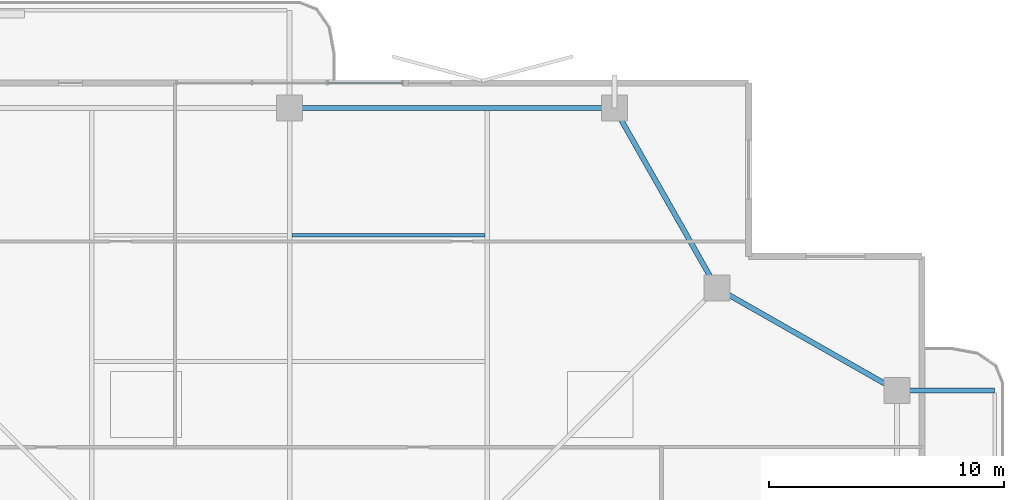
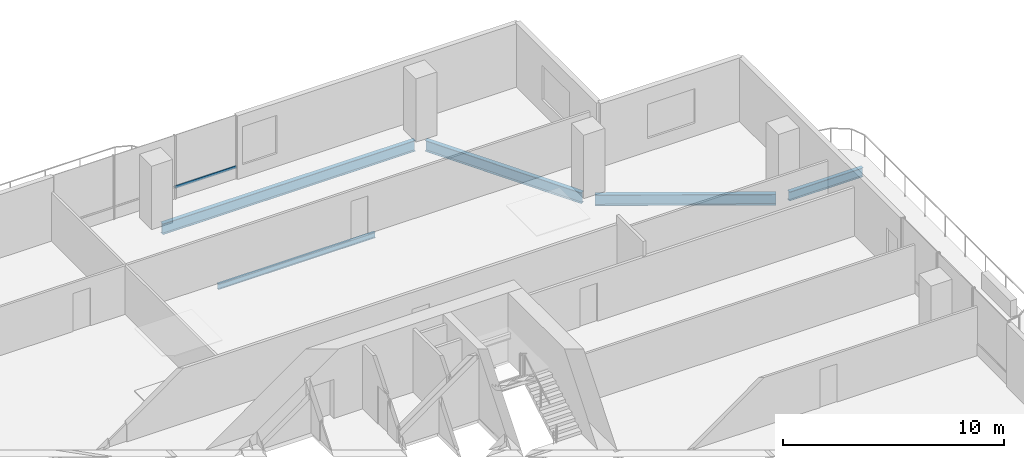
# One storey, part 14 of 24: 5 beams, 1 member, 1 element without a shape of its own.
"""IFC4 building model written with IfcOpenShell, lengths in metres."""

from ifc_helpers import new_model, si_unit, direction, frame, origin, origin_2d, place, context, subcontext, project, spatial, hollow_rectangle, i_section, extrude, material, layer, layer_set, material_profile, profile_set, type_object, element, aggregate, save


model = new_model("IFC4")

# Units and contexts
model_context = context("Model", 3, precision=1e-05, world=origin(), true_north=direction((0.0, 1.0)))
body_context = subcontext(model_context, "Body", "Model", "MODEL_VIEW")
ifc_project = project(units=[si_unit("LENGTHUNIT", "METRE"), si_unit("AREAUNIT", "SQUARE_METRE"), si_unit("VOLUMEUNIT", "CUBIC_METRE"), si_unit("PLANEANGLEUNIT", "RADIAN"), si_unit("MASSUNIT", "GRAM", prefix="KILO")], contexts=[model_context])

# Site, building, storey
site_placement = place(None, origin())
site = spatial("IfcSite", under=ifc_project, at=site_placement, CompositionType="ELEMENT")
building_placement = place(site_placement, origin())
building = spatial("IfcBuilding", under=site, at=building_placement, Name="Belovzor Exchange Tower", CompositionType="ELEMENT")
storey_placement = place(building_placement, frame((0.0, 0.0, 237.449951171875)))
storey = spatial("IfcBuildingStorey", under=building, at=storey_placement, Name="L59", CompositionType="ELEMENT", Elevation=237.449951171875)

# Beams
ifc_material_1 = material(Name="Steel S355", Category="steel")
ifc_material_profile_1 = material_profile(ifc_material_1, i_section(OverallWidth=0.199951171875, OverallDepth=0.5, WebThickness=0.01025390625, FlangeThickness=0.01611328125, at=origin_2d()))
ifc_profile_set_1 = profile_set([ifc_material_profile_1], Name="Steel S355")
beam_type_1 = type_object("IfcBeamType", Name="Planted Balcony Cantilever Beam IPE 500", PredefinedType="BEAM", material=ifc_profile_set_1)
beam_1_placement = place(storey_placement, frame((54.903076171875, 42.60009765625, -0.5), z_axis=(1.0, 0.0, 0.0), x_axis=(0.0, 1.0, 0.0)))
element("IfcBeam", 1, at=beam_1_placement, inside=storey, type_object=beam_type_1, Name="BC-500 Planted Balcony Cantilever Beam IPE 500", PredefinedType="BEAM", context=body_context, shape_type="SweptSolid", body=[
    extrude(i_section(OverallWidth=0.199951171875, OverallDepth=0.5, WebThickness=0.01025390625, FlangeThickness=0.01611328125, at=origin_2d()), origin(), (0.0, 0.0, 1.0), 3.849853515625),
])
ifc_material_2 = material(Name="Steel S355", Category="steel")
ifc_material_profile_2 = material_profile(ifc_material_2, i_section(OverallWidth=0.14990234375, OverallDepth=0.300048828125, WebThickness=0.007080078125, FlangeThickness=0.0107421875, at=origin_2d()))
ifc_profile_set_2 = profile_set([ifc_material_profile_2], Name="Steel S355")
beam_type_2 = type_object("IfcBeamType", Name="Secondary Trim Floor Joist IPE 300", PredefinedType="BEAM", material=ifc_profile_set_2)
beam_2_placement = place(storey_placement, frame((28.89501953125, 49.18701171875, -0.39990234375), z_axis=(1.0, 0.0, 0.0), x_axis=(0.0, 1.0, 0.0)))
element("IfcBeam", 2, at=beam_2_placement, inside=storey, type_object=beam_type_2, Name="FJ-300 Secondary Trim Floor Joist IPE 300", PredefinedType="BEAM", context=body_context, shape_type="SweptSolid", body=[
    extrude(i_section(OverallWidth=0.14990234375, OverallDepth=0.300048828125, WebThickness=0.007080078125, FlangeThickness=0.0107421875, at=origin_2d()), origin(), (0.0, 0.0, 1.0), 8.2099609375),
])

# Curtain wall, member
ifc_material_3 = material(Name="Anodised Aluminium Framing", Category="aluminium")
ifc_layer = layer(ifc_material_3, 0.179931640625)
ifc_layer_set = layer_set([ifc_layer], Name="Anodised Aluminium Framing")
curtain_wall_type = type_object("IfcCurtainWallType", Name="Recessed Loggia Low-Iron Triple-Glazed Curtain Wall", PredefinedType="NOTDEFINED", material=ifc_layer_set)
curtain_wall_placement = place(storey_placement, origin())
curtain_wall = element("IfcCurtainWall", 3, at=curtain_wall_placement, inside=storey, type_object=curtain_wall_type, Name="CW3 Recessed Loggia Low-Iron Triple-Glazed Curtain Wall L59", PredefinedType="NOTDEFINED")
ifc_material_4 = material(Name="Steel S355", Category="steel")
ifc_material_profile_3 = material_profile(ifc_material_4, hollow_rectangle(XDim=0.06005859375, YDim=0.14990234375, WallThickness=0.00390625, at=origin_2d()))
ifc_profile_set_3 = profile_set([ifc_material_profile_3], Name="Steel S355")
member_type = type_object("IfcMemberType", Name="Thermally Broken Curtain Wall Transom 150x60", PredefinedType="USERDEFINED", material=ifc_profile_set_3)
member_placement = place(storey_placement, frame((30.407958984375, 55.669921875, 0.630126953125), z_axis=(1.0, 0.0, 0.0), x_axis=(0.0, 1.0, 0.0)))
member = element("IfcMember", 4, at=member_placement, type_object=member_type, Name="CW-T150 Curtain Wall Transom 3", ObjectType="TRANSOM", PredefinedType="USERDEFINED", context=body_context, shape_type="SweptSolid", body=[
    extrude(hollow_rectangle(XDim=0.06005859375, YDim=0.14990234375, WallThickness=0.00390625, at=origin_2d()), origin(), (0.0, 0.0, 1.0), 3.18408203125),
])
aggregate(curtain_wall, [member])

# Beams
ifc_material_5 = material(Name="Steel S355", Category="steel")
ifc_material_profile_4 = material_profile(ifc_material_5, i_section(OverallWidth=0.219970703125, OverallDepth=0.60009765625, WebThickness=0.011962890625, FlangeThickness=0.01904296875, at=origin_2d()))
ifc_profile_set_4 = profile_set([ifc_material_profile_4], Name="Steel S355")
beam_type_3 = type_object("IfcBeamType", Name="Zone 4 Flare Primary Girder IPE 600", PredefinedType="BEAM", material=ifc_profile_set_4)
for number, where, z_axis, x_axis, name in (
    (5, (54.3369140625, 42.75, -0.550048828125), (-0.869335547884, 0.494222323641, 0.0), (-0.494222323641, -0.869335547884, 0.0), "FG-Z4 Zone 4 Flare Primary Girder IPE 600"),
    (6, (46.800048828125, 47.212890625, -0.550048828125), (-0.494222323641, 0.869335547884, 0.0), (-0.869335547884, -0.494222323641, 0.0), "FG-Z4 Zone 4 Flare Primary Girder IPE 600"),
):
    element("IfcBeam", number, at=place(storey_placement, frame(where, z_axis=z_axis, x_axis=x_axis)), inside=storey, type_object=beam_type_3, Name=name, PredefinedType="BEAM", context=body_context, shape_type="SweptSolid", body=[
        extrude(i_section(OverallWidth=0.219970703125, OverallDepth=0.60009765625, WebThickness=0.011962890625, FlangeThickness=0.01904296875, at=origin_2d()), origin(), (0.0, 0.0, 1.0), 8.19482421875),
    ])
beam_3_placement = place(storey_placement, frame((42.297119140625, 54.60009765625, -0.550048828125), z_axis=(-1.0, 0.0, 0.0), x_axis=(0.0, -1.0, 0.0)))
element("IfcBeam", 7, at=beam_3_placement, inside=storey, type_object=beam_type_3, Name="FG-Z4 Zone 4 Flare Primary Girder IPE 600", PredefinedType="BEAM", context=body_context, shape_type="SweptSolid", body=[
    extrude(i_section(OverallWidth=0.219970703125, OverallDepth=0.60009765625, WebThickness=0.011962890625, FlangeThickness=0.01904296875, at=origin_2d()), origin(), (0.0, 0.0, 1.0), 13.195068359375),
])

save(model, "model.ifc")
